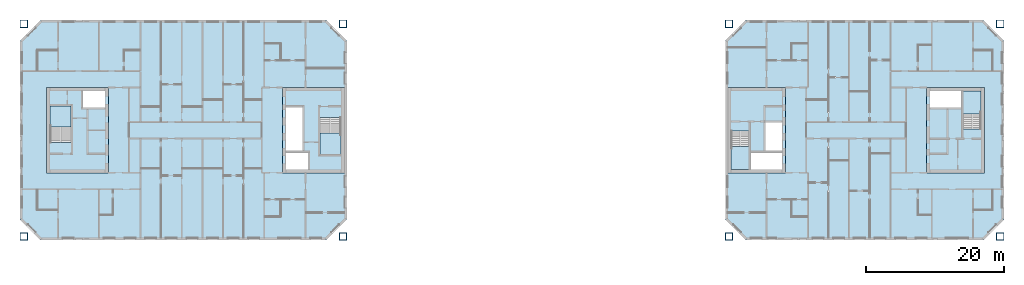
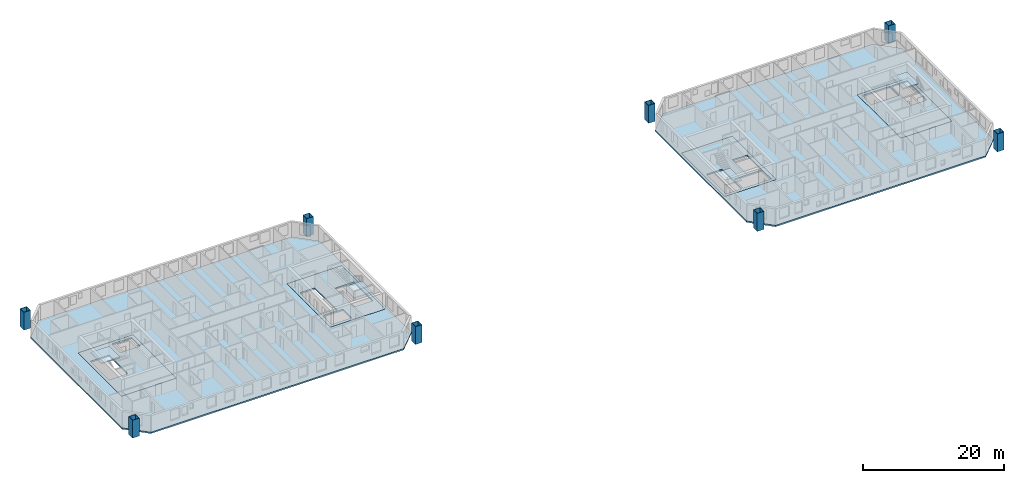
# One storey, part 1 of 15: 10 slabs, 8 columns, 4 elements without a shape of their own.
"""IFC4 building model written with IfcOpenShell, lengths in metres."""

import ifcopenshell
import ifcopenshell.guid

model = None  # the IFC model being written
_history = None  # IfcOwnerHistory: only IFC2X3 demands one
_inside = {}  # id of a spatial element -> (the spatial element, [elements in it])
_under = {}  # id of a project, library or spatial element -> (it, [spatial elements below it])
_declared = {}  # id of a project -> (the project, [libraries it declares])
_typed = {}  # id of a type object -> (the type object, [elements of that type])
_made_of = {}  # id of a material, layer set ... -> (it, [elements and type objects made of it])


def new_model(schema):
    """Start an empty IFC model of exactly this schema.

    Asked for "IFC4X3", IfcOpenShell would pick the latest addendum, in which some entities
    have other attributes; the version numbers below select the first issue.
    IFC2X3 requires an IfcOwnerHistory on every rooted entity: one is made here for all.
    """
    global model, _history
    if schema == "IFC4X3":
        model = ifcopenshell.file(schema_version=(4, 3, 0, 0))
    else:
        model = ifcopenshell.file(schema=schema)
    _inside.clear()
    _under.clear()
    _declared.clear()
    _typed.clear()
    _made_of.clear()
    _history = None
    if model.schema == "IFC2X3":
        org = make("IfcOrganization", Name="unknown")
        user = make(
            "IfcPersonAndOrganization",
            ThePerson=make("IfcPerson", FamilyName="unknown"),
            TheOrganization=org,
        )
        app = make(
            "IfcApplication",
            ApplicationDeveloper=org,
            Version="unknown",
            ApplicationFullName="unknown",
            ApplicationIdentifier="unknown",
        )
        _history = make(
            "IfcOwnerHistory",
            OwningUser=user,
            OwningApplication=app,
            ChangeAction="ADDED",
            CreationDate=0,
        )
    return model


def make(cls, **values):
    """One entity of the class cls with the attributes given. An attribute that is None is left unset."""
    return model.create_entity(
        cls, **{name: value for name, value in values.items() if value is not None}
    )


def rooted(cls, **values):
    """An entity with a GlobalId (a new one), such as an element, a storey or a relation."""
    return make(cls, GlobalId=ifcopenshell.guid.new(), OwnerHistory=_history, **values)


def si_unit(unit_type, name, prefix=None):
    """IfcSIUnit, for example si_unit("LENGTHUNIT", "METRE", prefix="MILLI")."""
    return make("IfcSIUnit", UnitType=unit_type, Prefix=prefix, Name=name)


def assignment(units):
    """IfcUnitAssignment: the units of a project."""
    return None if units is None else make("IfcUnitAssignment", Units=units)


def point(xyz):
    """IfcCartesianPoint."""
    return None if xyz is None else make("IfcCartesianPoint", Coordinates=xyz)


def direction(xyz):
    """IfcDirection."""
    return None if xyz is None else make("IfcDirection", DirectionRatios=xyz)


def frame(location, z_axis=None, x_axis=None):
    """IfcAxis2Placement3D, a coordinate frame: its origin and axes. An axis left out is left unset."""
    return make(
        "IfcAxis2Placement3D",
        Location=point(location),
        Axis=direction(z_axis),
        RefDirection=direction(x_axis),
    )


def frame_2d(location, x_axis=None):
    """IfcAxis2Placement2D, a coordinate frame in the plane: its origin and x axis."""
    return make(
        "IfcAxis2Placement2D", Location=point(location), RefDirection=direction(x_axis)
    )


def origin():
    """The frame at (0, 0, 0) with its axes left unset."""
    return frame((0.0, 0.0, 0.0))


def origin_2d():
    """The frame at (0, 0) in the plane with its x axis left unset."""
    return frame_2d((0.0, 0.0))


def place(relative_to, where):
    """IfcLocalPlacement: puts the frame where relative to a parent placement (None: the world)."""
    return make(
        "IfcLocalPlacement", PlacementRelTo=relative_to, RelativePlacement=where
    )


def context(
    kind, dimensions, precision=None, world=None, true_north=None, identifier=None
):
    """IfcGeometricRepresentationContext, for example the 3D "Model" context."""
    return make(
        "IfcGeometricRepresentationContext",
        ContextIdentifier=identifier,
        ContextType=kind,
        CoordinateSpaceDimension=dimensions,
        Precision=precision,
        WorldCoordinateSystem=world,
        TrueNorth=true_north,
    )


def subcontext(parent, identifier, kind, view, scale=None):
    """IfcGeometricRepresentationSubContext, for example "Body" below "Model"."""
    return make(
        "IfcGeometricRepresentationSubContext",
        ContextIdentifier=identifier,
        ContextType=kind,
        ParentContext=parent,
        TargetScale=scale,
        TargetView=view,
    )


def project(units=None, contexts=None):
    """IfcProject with its units and contexts."""
    return rooted(
        "IfcProject",
        Name="project",
        RepresentationContexts=contexts,
        UnitsInContext=assignment(units),
    )


def spatial(cls, under=None, at=None, **own):
    """A site, building, storey or space (cls), placed at a placement, below another one or the project."""
    s = rooted(cls, ObjectPlacement=at, **own)
    if under is not None:
        _under.setdefault(under.id(), (under, []))[1].append(s)
    return s


def polyline(points):
    """IfcPolyline through the points."""
    return make("IfcPolyline", Points=[point(p) for p in points])


def profile(cls, at=None, kind="AREA", **sizes):
    """A parametric profile (cls). Its sizes go by their IFC names, for example OverallWidth=200.0."""
    return make(cls, ProfileType=kind, Position=at, **sizes)


def hollow_rectangle(**sizes):
    """IfcRectangleHollowProfileDef."""
    return profile("IfcRectangleHollowProfileDef", **sizes)


def outline(outer, holes=None, kind="AREA"):
    """IfcArbitraryClosedProfileDef: a profile drawn as a closed curve; with holes, ...WithVoids."""
    if holes is None:
        return make("IfcArbitraryClosedProfileDef", ProfileType=kind, OuterCurve=outer)
    return make(
        "IfcArbitraryProfileDefWithVoids",
        ProfileType=kind,
        OuterCurve=outer,
        InnerCurves=holes,
    )


def extrude(swept, where, along, depth):
    """IfcExtrudedAreaSolid: the profile swept, set in the frame where, extruded along a direction by depth."""
    return make(
        "IfcExtrudedAreaSolid",
        SweptArea=swept,
        Position=where,
        ExtrudedDirection=direction(along),
        Depth=depth,
    )


def shape(context_of_items, identifier, shape_type, items):
    """IfcShapeRepresentation: the items that make up one representation, for example the "Body"."""
    return make(
        "IfcShapeRepresentation",
        ContextOfItems=context_of_items,
        RepresentationIdentifier=identifier,
        RepresentationType=shape_type,
        Items=items,
    )


def material(Name=None, Category=None):
    """IfcMaterial."""
    return make("IfcMaterial", Name=Name, Category=Category)


def layer(
    of_material, thickness, ventilated=None, Name=None, Category=None, Priority=None
):
    """IfcMaterialLayer: one layer of a wall or slab, of a material (None: an air gap)."""
    return make(
        "IfcMaterialLayer",
        Material=of_material,
        LayerThickness=thickness,
        IsVentilated=ventilated,
        Name=Name,
        Category=Category,
        Priority=Priority,
    )


def layer_set(layers, Name=None):
    """IfcMaterialLayerSet."""
    return make("IfcMaterialLayerSet", MaterialLayers=layers, LayerSetName=Name)


def material_profile(
    of_material, cross_section, Name=None, Category=None, Priority=None
):
    """IfcMaterialProfile: a cross section and its material."""
    return make(
        "IfcMaterialProfile",
        Name=Name,
        Material=of_material,
        Profile=cross_section,
        Priority=Priority,
        Category=Category,
    )


def profile_set(profiles, Name=None, composite=None):
    """IfcMaterialProfileSet."""
    return make(
        "IfcMaterialProfileSet",
        Name=Name,
        MaterialProfiles=profiles,
        CompositeProfile=composite,
    )


def made_of(thing, what):
    """Note that an element or type object is made of a material, layer set ...; save() writes the relation."""
    if what is not None:
        _made_of.setdefault(what.id(), (what, []))[1].append(thing)
    return thing


def type_object(cls, material=None, **own):
    """A type object (cls), such as IfcWallType, which elements share."""
    return made_of(rooted(cls, **own), material)


def element(
    cls,
    number,
    at=None,
    inside=None,
    cuts=None,
    type_object=None,
    material=None,
    context=None,
    identifier="Body",
    shape_type=None,
    held_by="IfcProductDefinitionShape",
    body=None,
    shapes=None,
    **own,
):
    """One element of the class cls, such as IfcWall. Its Tag is "e" and its number.

    at: its placement. inside: the storey or other place that contains it. cuts: it is an
    opening in that element (IfcRelVoidsElement). A single representation is given by context,
    identifier, shape_type and body (its items); several are given by shapes. held_by: the class
    of the entity that holds the representations. save() writes the other relations.
    """
    e = rooted(cls, Tag="e%d" % number, ObjectPlacement=at, **own)
    if body is not None:
        shapes = [shape(context, identifier, shape_type, body)]
    if shapes is not None:
        e.Representation = make(held_by, Representations=shapes)
    if inside is not None:
        _inside.setdefault(inside.id(), (inside, []))[1].append(e)
    if cuts is not None:
        rooted(
            "IfcRelVoidsElement", RelatingBuildingElement=cuts, RelatedOpeningElement=e
        )
    if type_object is not None:
        _typed.setdefault(type_object.id(), (type_object, []))[1].append(e)
    return made_of(e, material)


def aggregate(whole, parts):
    """IfcRelAggregates: a whole, such as a stair, and the parts it consists of."""
    return rooted("IfcRelAggregates", RelatingObject=whole, RelatedObjects=parts)


def save(model, path):
    """Write the relations noted so far, then the file.

    IfcRelAggregates (storeys below a building ...), IfcRelContainedInSpatialStructure (elements
    in a storey), IfcRelDefinesByType, IfcRelAssociatesMaterial and IfcRelDeclares: one each for
    every whole, place, type object, material and project.
    """
    for whole, parts in _under.values():
        aggregate(whole, parts)
    for where, things in _inside.values():
        rooted(
            "IfcRelContainedInSpatialStructure",
            RelatedElements=things,
            RelatingStructure=where,
        )
    for kind, things in _typed.values():
        rooted("IfcRelDefinesByType", RelatedObjects=things, RelatingType=kind)
    for what, things in _made_of.values():
        rooted("IfcRelAssociatesMaterial", RelatedObjects=things, RelatingMaterial=what)
    for by, libraries in _declared.values():
        rooted("IfcRelDeclares", RelatingContext=by, RelatedDefinitions=libraries)
    model.write(path)


model = new_model("IFC4")

# Units and contexts
model_context = context("Model", 3, precision=1e-05, world=origin(), true_north=direction((0.0, 1.0)))
body_context = subcontext(model_context, "Body", "Model", "MODEL_VIEW")
ifc_project = project(units=[si_unit("LENGTHUNIT", "METRE"), si_unit("AREAUNIT", "SQUARE_METRE"), si_unit("VOLUMEUNIT", "CUBIC_METRE"), si_unit("PLANEANGLEUNIT", "RADIAN"), si_unit("MASSUNIT", "GRAM", prefix="KILO")], contexts=[model_context])

# Site, building, storey
site_placement = place(None, origin())
site = spatial("IfcSite", under=ifc_project, at=site_placement, CompositionType="ELEMENT")
building_placement = place(site_placement, origin())
building = spatial("IfcBuilding", under=site, at=building_placement, Name="Tuart Gate Housing", CompositionType="ELEMENT")
storey_placement = place(building_placement, frame((0.0, 0.0, 154.699951171875)))
storey = spatial("IfcBuildingStorey", under=building, at=storey_placement, Name="L43", CompositionType="ELEMENT", Elevation=154.699951171875)

# Columns
ifc_material_1 = material(Name="Steel Grade 350", Category="steel")
ifc_material_profile = material_profile(ifc_material_1, hollow_rectangle(XDim=1.10009765625, YDim=1.10009765625, WallThickness=0.06005859375, at=origin_2d()), Name="BOX 1100x1100x60")
ifc_profile_set = profile_set([ifc_material_profile], Name="Steel Grade 350")
column_type = type_object("IfcColumnType", Name="Mega column BOX 1100x1100x60", PredefinedType="COLUMN", material=ifc_profile_set)
for number, where, z_axis, x_axis, name in (
    (1, (29.050048828125, 54.550048828125, 0.0), (0.0, 0.0, 1.0), (1.0, 0.0, 0.0), "Mega column A south-west L43"),
    (2, (75.449951171875, 54.550048828125, 0.0), (0.0, 0.0, 1.0), (1.0, 0.0, 0.0), "Mega column A south-east L43"),
    (3, (75.449951171875, 85.449951171875, 0.0), (0.0, 0.0, 1.0), (1.0, 0.0, 0.0), "Mega column A north-east L43"),
    (4, (29.050048828125, 85.449951171875, 0.0), (0.0, 0.0, 1.0), (1.0, 0.0, 0.0), "Mega column A north-west L43"),
    (5, (131.550048828125, 54.550048828125, 0.0), (0.0, 0.0, 1.0), (1.0, 0.0, 0.0), "Mega column B south-west L43"),
    (6, (170.949951171875, 54.550048828125, 0.0), (0.0, 0.0, 1.0), (1.0, 0.0, 0.0), "Mega column B south-east L43"),
    (7, (170.949951171875, 85.449951171875, 0.0), (0.0, 0.0, 1.0), (1.0, 0.0, 0.0), "Mega column B north-east L43"),
    (8, (131.550048828125, 85.449951171875, 0.0), (0.0, 0.0, 1.0), (1.0, 0.0, 0.0), "Mega column B north-west L43"),
):
    element("IfcColumn", number, at=place(storey_placement, frame(where, z_axis=z_axis, x_axis=x_axis)), inside=storey, type_object=column_type, Name=name, PredefinedType="COLUMN", context=body_context, shape_type="SweptSolid", body=[
        extrude(hollow_rectangle(XDim=1.10009765625, YDim=1.10009765625, WallThickness=0.06005859375, at=origin_2d()), origin(), (0.0, 0.0, 1.0), 3.10009765625),
    ])

# Slabs
ifc_material_2 = material(Name="Concrete C40", Category="concrete")
ifc_layer_1 = layer(ifc_material_2, 0.25)
ifc_layer_set_1 = layer_set([ifc_layer_1], Name="Core floor slab 250")
slab_type_1 = type_object("IfcSlabType", Name="Core floor slab 250", PredefinedType="FLOOR", material=ifc_layer_set_1)
slab_1_placement = place(storey_placement, frame((0.0, 0.0, -0.25)))
element("IfcSlab", 9, at=slab_1_placement, inside=storey, type_object=slab_type_1, Name="Core floor AG", PredefinedType="FLOOR", context=body_context, shape_type="SweptSolid", body=[
    extrude(outline(polyline([(66.639892578125, 63.800048828125), (75.639892578125, 63.800048828125), (75.639892578125, 76.199951171875), (66.639892578125, 76.199951171875), (66.639892578125, 63.800048828125)]), holes=[polyline([(67.139892578125, 64.300048828125), (70.385009765625, 64.300048828125), (70.385009765625, 66.72509765625), (67.139892578125, 66.72509765625), (67.139892578125, 64.300048828125)]), polyline([(67.139892578125, 66.97509765625), (69.56494140625, 66.97509765625), (69.56494140625, 73.324951171875), (67.139892578125, 73.324951171875), (67.139892578125, 66.97509765625)]), polyline([(72.06494140625, 66.47509765625), (75.139892578125, 66.47509765625), (75.139892578125, 71.804931640625), (72.06494140625, 71.804931640625), (72.06494140625, 66.47509765625)])]), origin(), (0.0, 0.0, 1.0), 0.25),
])
slab_2_placement = place(storey_placement, frame((0.0, 0.0, -0.25)))
element("IfcSlab", 10, at=slab_2_placement, inside=storey, type_object=slab_type_1, Name="Core floor AK", PredefinedType="FLOOR", context=body_context, shape_type="SweptSolid", body=[
    extrude(outline(polyline([(32.360107421875, 63.800048828125), (41.360107421875, 63.800048828125), (41.360107421875, 76.199951171875), (32.360107421875, 76.199951171875), (32.360107421875, 63.800048828125)]), holes=[polyline([(40.860107421875, 75.699951171875), (37.614990234375, 75.699951171875), (37.614990234375, 73.27490234375), (40.860107421875, 73.27490234375), (40.860107421875, 75.699951171875)]), polyline([(35.93505859375, 73.52490234375), (32.860107421875, 73.52490234375), (32.860107421875, 68.195068359375), (35.93505859375, 68.195068359375), (35.93505859375, 73.52490234375)])]), origin(), (0.0, 0.0, 1.0), 0.25),
])
slab_3_placement = place(storey_placement, frame((0.0, 0.0, -0.25)))
element("IfcSlab", 11, at=slab_3_placement, inside=storey, type_object=slab_type_1, Name="Core floor BG", PredefinedType="FLOOR", context=body_context, shape_type="SweptSolid", body=[
    extrude(outline(polyline([(131.360107421875, 63.800048828125), (139.760009765625, 63.800048828125), (139.760009765625, 76.199951171875), (131.360107421875, 76.199951171875), (131.360107421875, 63.800048828125)]), holes=[polyline([(139.260009765625, 66.85009765625), (134.68505859375, 66.85009765625), (134.68505859375, 64.300048828125), (139.260009765625, 64.300048828125), (139.260009765625, 66.85009765625)]), polyline([(139.260009765625, 71.125), (136.8349609375, 71.125), (136.8349609375, 66.97509765625), (139.260009765625, 66.97509765625), (139.260009765625, 71.125)]), polyline([(134.43505859375, 69.85498046875), (131.860107421875, 69.85498046875), (131.860107421875, 64.300048828125), (134.43505859375, 64.300048828125), (134.43505859375, 69.85498046875)])]), origin(), (0.0, 0.0, 1.0), 0.25),
])
slab_4_placement = place(storey_placement, frame((0.0, 0.0, -0.25)))
element("IfcSlab", 12, at=slab_4_placement, inside=storey, type_object=slab_type_1, Name="Core floor BK", PredefinedType="FLOOR", context=body_context, shape_type="SweptSolid", body=[
    extrude(outline(polyline([(160.239990234375, 63.800048828125), (168.639892578125, 63.800048828125), (168.639892578125, 76.199951171875), (160.239990234375, 76.199951171875), (160.239990234375, 63.800048828125)]), holes=[polyline([(160.739990234375, 73.14990234375), (165.31494140625, 73.14990234375), (165.31494140625, 75.699951171875), (160.739990234375, 75.699951171875), (160.739990234375, 73.14990234375)]), polyline([(165.56494140625, 70.14501953125), (168.139892578125, 70.14501953125), (168.139892578125, 75.699951171875), (165.56494140625, 75.699951171875), (165.56494140625, 70.14501953125)])]), origin(), (0.0, 0.0, 1.0), 0.25),
])
ifc_material_3 = material(Name="Concrete C40", Category="concrete")
ifc_layer_2 = layer(ifc_material_3, 0.25)
ifc_layer_set_2 = layer_set([ifc_layer_2], Name="Flat plate 250")
slab_type_2 = type_object("IfcSlabType", Name="Flat plate 250", PredefinedType="FLOOR", material=ifc_layer_set_2)
slab_5_placement = place(storey_placement, frame((0.0, 0.0, -0.25)))
element("IfcSlab", 13, at=slab_5_placement, inside=storey, type_object=slab_type_2, Name="Floor slab A L43", PredefinedType="FLOOR", context=body_context, shape_type="SweptSolid", body=[
    extrude(outline(polyline([(31.5, 86.0), (28.5, 83.0), (28.5, 57.0), (31.5, 54.0), (73.0, 54.0), (76.0, 57.0), (76.0, 83.0), (73.0, 86.0), (31.5, 86.0)]), holes=[polyline([(66.639892578125, 76.199951171875), (75.639892578125, 76.199951171875), (75.639892578125, 63.800048828125), (66.639892578125, 63.800048828125), (66.639892578125, 76.199951171875)]), polyline([(41.360107421875, 76.199951171875), (41.360107421875, 63.800048828125), (32.360107421875, 63.800048828125), (32.360107421875, 76.199951171875), (41.360107421875, 76.199951171875)])]), origin(), (0.0, 0.0, 1.0), 0.25),
])
slab_6_placement = place(storey_placement, frame((0.0, 0.0, -0.25)))
element("IfcSlab", 14, at=slab_6_placement, inside=storey, type_object=slab_type_2, Name="Floor slab B L43", PredefinedType="FLOOR", context=body_context, shape_type="SweptSolid", body=[
    extrude(outline(polyline([(134.0, 86.0), (131.0, 83.0), (131.0, 57.0), (134.0, 54.0), (168.5, 54.0), (171.5, 57.0), (171.5, 83.0), (168.5, 86.0), (134.0, 86.0)]), holes=[polyline([(131.360107421875, 76.199951171875), (139.760009765625, 76.199951171875), (139.760009765625, 63.800048828125), (131.360107421875, 63.800048828125), (131.360107421875, 76.199951171875)]), polyline([(168.639892578125, 76.199951171875), (168.639892578125, 63.800048828125), (160.239990234375, 63.800048828125), (160.239990234375, 76.199951171875), (168.639892578125, 76.199951171875)])]), origin(), (0.0, 0.0, 1.0), 0.25),
])

# Stair, slab
ifc_material_4 = material(Name="Concrete C40", Category="concrete")
stair_type_1 = type_object("IfcStairType", Name="Core stair 1500", PredefinedType="HALF_TURN_STAIR", material=ifc_material_4)
stair_1_placement = place(storey_placement, origin())
stair_1 = element("IfcStair", 15, at=stair_1_placement, inside=storey, type_object=stair_type_1, Name="Stair SA1", PredefinedType="HALF_TURN_STAIR")
ifc_material_5 = material(Name="Concrete C40", Category="concrete")
ifc_layer_3 = layer(ifc_material_5, 0.199951171875)
ifc_layer_set_3 = layer_set([ifc_layer_3], Name="Stair landing 200")
slab_type_3 = type_object("IfcSlabType", Name="Stair landing 200", PredefinedType="LANDING", material=ifc_layer_set_3)
slab_7_placement = place(storey_placement, frame((0.0, 0.0, 1.35009765625)))
slab_7 = element("IfcSlab", 16, at=slab_7_placement, type_object=slab_type_3, Name="SA1 landing 1", PredefinedType="LANDING", context=body_context, shape_type="SweptSolid", body=[
    extrude(outline(polyline([(72.06494140625, 66.47509765625), (75.139892578125, 66.47509765625), (75.139892578125, 69.5849609375), (72.06494140625, 69.5849609375), (72.06494140625, 66.47509765625)])), origin(), (0.0, 0.0, 1.0), 0.199951171875),
])
aggregate(stair_1, [slab_7])

stair_2_placement = place(storey_placement, origin())
stair_2 = element("IfcStair", 17, at=stair_2_placement, inside=storey, type_object=stair_type_1, Name="Stair SA2", PredefinedType="HALF_TURN_STAIR")
slab_8_placement = place(storey_placement, frame((0.0, 0.0, 1.35009765625)))
slab_8 = element("IfcSlab", 18, at=slab_8_placement, type_object=slab_type_3, Name="SA2 landing 1", PredefinedType="LANDING", context=body_context, shape_type="SweptSolid", body=[
    extrude(outline(polyline([(35.93505859375, 73.52490234375), (32.860107421875, 73.52490234375), (32.860107421875, 70.4150390625), (35.93505859375, 70.4150390625), (35.93505859375, 73.52490234375)])), origin(), (0.0, 0.0, 1.0), 0.199951171875),
])
aggregate(stair_2, [slab_8])

ifc_material_6 = material(Name="Concrete C40", Category="concrete")
stair_type_2 = type_object("IfcStairType", Name="Core stair 1250", PredefinedType="HALF_TURN_STAIR", material=ifc_material_6)
stair_3_placement = place(storey_placement, origin())
stair_3 = element("IfcStair", 19, at=stair_3_placement, inside=storey, type_object=stair_type_2, Name="Stair SB1", PredefinedType="HALF_TURN_STAIR")
slab_9_placement = place(storey_placement, frame((0.0, 0.0, 1.35009765625)))
slab_9 = element("IfcSlab", 20, at=slab_9_placement, type_object=slab_type_3, Name="SB1 landing 1", PredefinedType="LANDING", context=body_context, shape_type="SweptSolid", body=[
    extrude(outline(polyline([(134.43505859375, 67.635009765625), (131.860107421875, 67.635009765625), (131.860107421875, 64.300048828125), (134.43505859375, 64.300048828125), (134.43505859375, 67.635009765625)])), origin(), (0.0, 0.0, 1.0), 0.199951171875),
])
aggregate(stair_3, [slab_9])

stair_4_placement = place(storey_placement, origin())
stair_4 = element("IfcStair", 21, at=stair_4_placement, inside=storey, type_object=stair_type_2, Name="Stair SB2", PredefinedType="HALF_TURN_STAIR")
slab_10_placement = place(storey_placement, frame((0.0, 0.0, 1.35009765625)))
slab_10 = element("IfcSlab", 22, at=slab_10_placement, type_object=slab_type_3, Name="SB2 landing 1", PredefinedType="LANDING", context=body_context, shape_type="SweptSolid", body=[
    extrude(outline(polyline([(165.56494140625, 72.364990234375), (168.139892578125, 72.364990234375), (168.139892578125, 75.699951171875), (165.56494140625, 75.699951171875), (165.56494140625, 72.364990234375)])), origin(), (0.0, 0.0, 1.0), 0.199951171875),
])
aggregate(stair_4, [slab_10])

save(model, "model.ifc")
